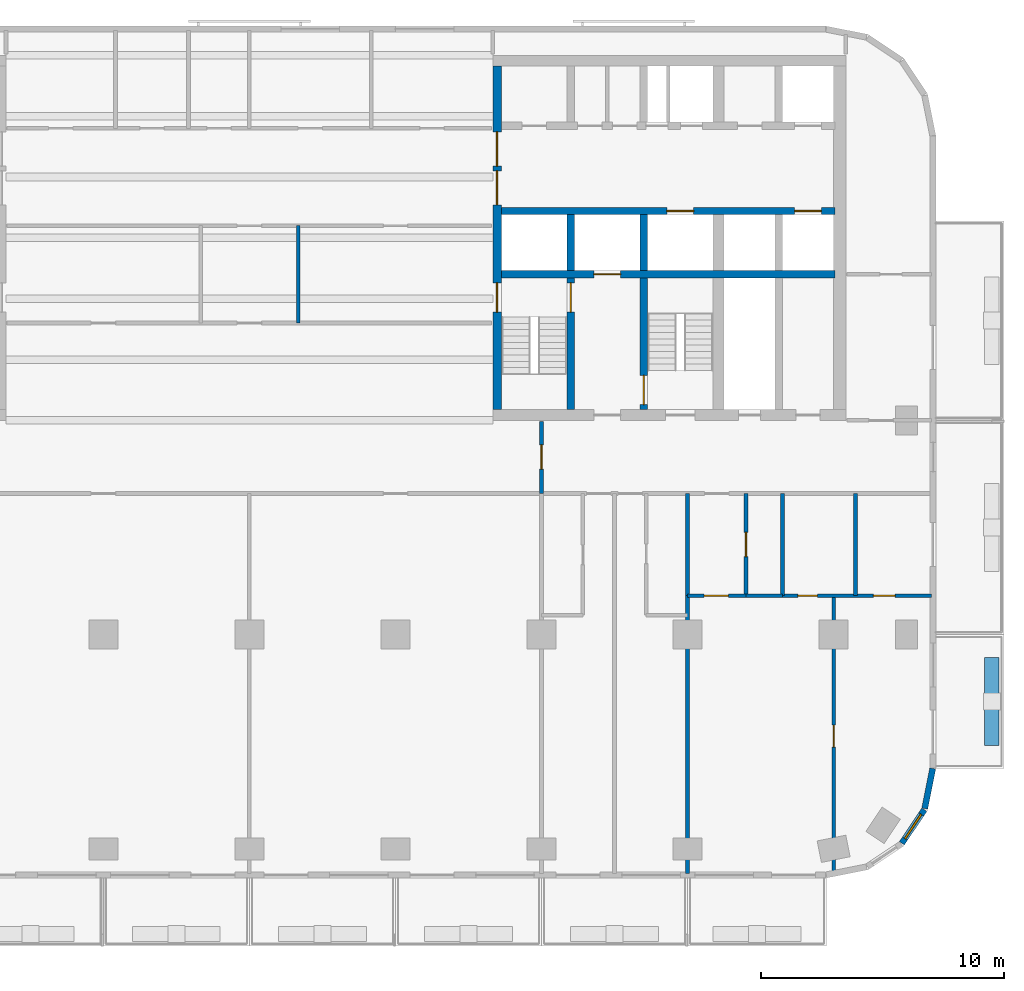
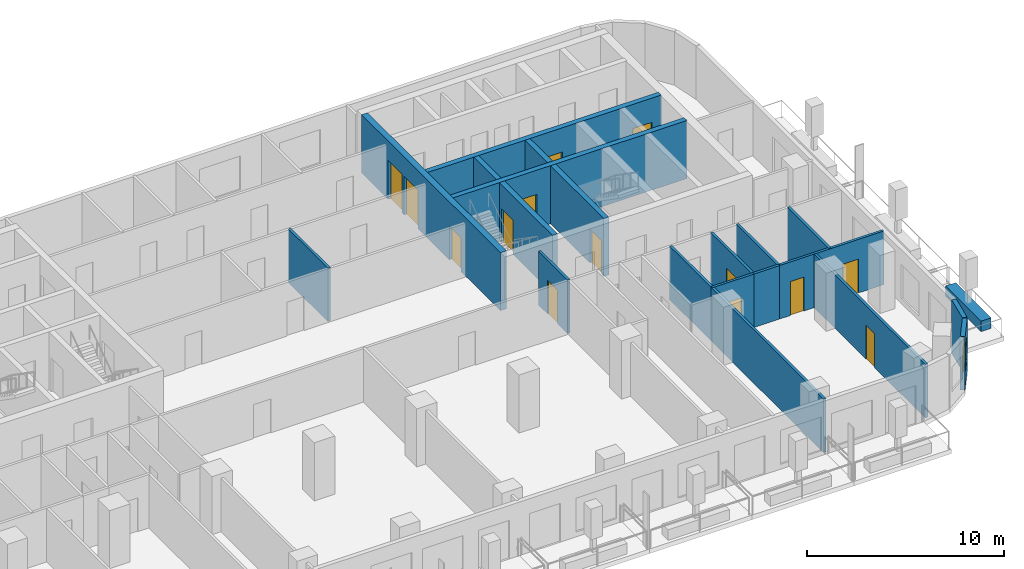
# One storey, part 5 of 11: 21 walls, 14 doors, 1 window, 15 openings.
"""IFC4 building model written with IfcOpenShell, lengths in metres."""

from ifc_helpers import new_model, si_unit, direction, frame, frame_2d, origin, place, context, subcontext, project, spatial, rectangle, extrude, material, layer, layer_set, type_object, element, fill, save


model = new_model("IFC4")

# Units and contexts
model_context = context("Model", 3, precision=1e-05, world=origin(), true_north=direction((0.0, 1.0)))
body_context = subcontext(model_context, "Body", "Model", "MODEL_VIEW")
ifc_project = project(units=[si_unit("LENGTHUNIT", "METRE"), si_unit("AREAUNIT", "SQUARE_METRE"), si_unit("VOLUMEUNIT", "CUBIC_METRE"), si_unit("PLANEANGLEUNIT", "RADIAN"), si_unit("MASSUNIT", "GRAM", prefix="KILO")], contexts=[model_context])

# Site, building, storey
site_placement = place(None, origin())
site = spatial("IfcSite", under=ifc_project, at=site_placement, CompositionType="ELEMENT")
building_placement = place(site_placement, origin())
building = spatial("IfcBuilding", under=site, at=building_placement, Name="Torana Hotel and Residences", CompositionType="ELEMENT")
storey_placement = place(building_placement, frame((0.0, 0.0, 123.60009765625)))
storey = spatial("IfcBuildingStorey", under=building, at=storey_placement, Name="L31", CompositionType="ELEMENT", Elevation=123.60009765625)

# Wall, openings, doors
ifc_material_1 = material(Name="Concrete C70/85", Category="concrete")
ifc_layer_1 = layer(ifc_material_1, 0.300048828125)
ifc_layer_set_1 = layer_set([ifc_layer_1], Name="CORE WALL 300 C70/85")
wall_type_1 = type_object("IfcWallType", Name="CORE WALL 300 C70/85", PredefinedType="SHEAR", material=ifc_layer_set_1)
wall_1_placement = place(storey_placement, frame((10.35009765625, -6.39990234375, 0.0), z_axis=(0.0, 0.0, 1.0), x_axis=(1.0, 0.0, 0.0)))
wall_1 = element("IfcWall", 1, at=wall_1_placement, inside=storey, type_object=wall_type_1, Name="Core wall E row-S", PredefinedType="SHEAR", context=body_context, shape_type="SweptSolid", body=[
    extrude(rectangle(XDim=13.699951171875, YDim=0.300048828125, at=frame_2d((6.85009765625, 0.0))), origin(), (0.0, 0.0, 1.0), 3.599853515625),
])
opening_1_placement = place(wall_1_placement, frame((12.050048828125, 0.0, 0.0)))
opening_1 = element("IfcOpeningElement", 2, at=opening_1_placement, cuts=wall_1, Name="Opening LD", PredefinedType="OPENING", context=body_context, shape_type="SweptSolid", body=[
    extrude(rectangle(XDim=1.10009765625, YDim=2.10009765625, at=frame_2d((0.550048828125, 1.050048828125))), frame((0.0, 0.159912109375, 0.0), z_axis=(0.0, -1.0, 0.0), x_axis=(1.0, 0.0, 0.0)), (0.0, 0.0, 1.0), 0.320068359375),
])
opening_2_placement = place(wall_1_placement, frame((6.800048828125, 0.0, 0.0)))
opening_2 = element("IfcOpeningElement", 3, at=opening_2_placement, cuts=wall_1, Name="Opening LD", PredefinedType="OPENING", context=body_context, shape_type="SweptSolid", body=[
    extrude(rectangle(XDim=1.10009765625, YDim=2.10009765625, at=frame_2d((0.550048828125, 1.050048828125))), frame((0.0, 0.159912109375, 0.0), z_axis=(0.0, -1.0, 0.0), x_axis=(1.0, 0.0, 0.0)), (0.0, 0.0, 1.0), 0.320068359375),
])
ifc_material_2 = material(Name="Stainless steel 316", Category="steel")
door_type_1 = type_object("IfcDoorType", Name="LIFT LANDING DOOR LD 1100x2100", OperationType="DOUBLE_DOOR_SLIDING", PredefinedType="USERDEFINED", material=ifc_material_2)
door_1_placement = place(opening_1_placement, origin())
door_1 = element("IfcDoor", 4, at=door_1_placement, inside=storey, type_object=door_type_1, Name="Lift landing door M4 L31", ObjectType="LIFT LANDING DOOR", OperationType="DOUBLE_DOOR_SLIDING", OverallHeight=2.10009765625, OverallWidth=1.10009765625, PredefinedType="USERDEFINED", context=body_context, shape_type="SweptSolid", body=[
    extrude(rectangle(XDim=1.10009765625, YDim=2.10009765625, at=frame_2d((0.550048828125, 1.050048828125))), frame((0.0, 0.02490234375, 0.0), z_axis=(0.0, -1.0, 0.0), x_axis=(1.0, 0.0, 0.0)), (0.0, 0.0, 1.0), 0.050048828125),
])
fill(opening_1, door_1)
door_2_placement = place(opening_2_placement, origin())
door_2 = element("IfcDoor", 5, at=door_2_placement, inside=storey, type_object=door_type_1, Name="Lift landing door SV2 L31", ObjectType="LIFT LANDING DOOR", OperationType="DOUBLE_DOOR_SLIDING", OverallHeight=2.10009765625, OverallWidth=1.10009765625, PredefinedType="USERDEFINED", context=body_context, shape_type="SweptSolid", body=[
    extrude(rectangle(XDim=1.10009765625, YDim=2.10009765625, at=frame_2d((0.550048828125, 1.050048828125))), frame((0.0, 0.02490234375, 0.0), z_axis=(0.0, -1.0, 0.0), x_axis=(1.0, 0.0, 0.0)), (0.0, 0.0, 1.0), 0.050048828125),
])
fill(opening_2, door_2)

# Wall, opening, door
wall_2_placement = place(storey_placement, frame((10.35009765625, -9.0, 0.0), z_axis=(0.0, 0.0, 1.0), x_axis=(1.0, 0.0, 0.0)))
wall_2 = element("IfcWall", 6, at=wall_2_placement, inside=storey, type_object=wall_type_1, Name="Core wall E band", PredefinedType="SHEAR", context=body_context, shape_type="SweptSolid", body=[
    extrude(rectangle(XDim=13.699951171875, YDim=0.300048828125, at=frame_2d((6.85009765625, 0.0))), origin(), (0.0, 0.0, 1.0), 3.599853515625),
])
opening_3_placement = place(wall_2_placement, frame((3.800048828125, 0.0, 0.0)))
opening_3 = element("IfcOpeningElement", 7, at=opening_3_placement, cuts=wall_2, Name="Opening LD", PredefinedType="OPENING", context=body_context, shape_type="SweptSolid", body=[
    extrude(rectangle(XDim=1.10009765625, YDim=2.10009765625, at=frame_2d((0.550048828125, 1.050048828125))), frame((0.0, 0.159912109375, 0.0), z_axis=(0.0, -1.0, 0.0), x_axis=(1.0, 0.0, 0.0)), (0.0, 0.0, 1.0), 0.320068359375),
])
door_3_placement = place(opening_3_placement, origin())
door_3 = element("IfcDoor", 8, at=door_3_placement, inside=storey, type_object=door_type_1, Name="Lift landing door FF2 L31", ObjectType="LIFT LANDING DOOR", OperationType="DOUBLE_DOOR_SLIDING", OverallHeight=2.10009765625, OverallWidth=1.10009765625, PredefinedType="USERDEFINED", context=body_context, shape_type="SweptSolid", body=[
    extrude(rectangle(XDim=1.10009765625, YDim=2.10009765625, at=frame_2d((0.550048828125, 1.050048828125))), frame((0.0, 0.02490234375, 0.0), z_axis=(0.0, -1.0, 0.0), x_axis=(1.0, 0.0, 0.0)), (0.0, 0.0, 1.0), 0.050048828125),
])
fill(opening_3, door_3)

# Wall
wall_3_placement = place(storey_placement, frame((13.199951171875, -8.85009765625, 0.0), z_axis=(0.0, 0.0, 1.0), x_axis=(0.0, 1.0, 0.0)))
element("IfcWall", 9, at=wall_3_placement, inside=storey, type_object=wall_type_1, Name="Core wall E x3.05-S", PredefinedType="SHEAR", context=body_context, shape_type="SweptSolid", body=[
    extrude(rectangle(XDim=2.300048828125, YDim=0.300048828125, at=frame_2d((1.14990234375, 0.0))), origin(), (0.0, 0.0, 1.0), 3.599853515625),
])

# Wall, opening, door
wall_4_placement = place(storey_placement, frame((13.199951171875, -14.550048828125, 0.0), z_axis=(0.0, 0.0, 1.0), x_axis=(0.0, 1.0, 0.0)))
wall_4 = element("IfcWall", 10, at=wall_4_placement, inside=storey, type_object=wall_type_1, Name="Core wall E x3.05-band", PredefinedType="SHEAR", context=body_context, shape_type="SweptSolid", body=[
    extrude(rectangle(XDim=5.400146484375, YDim=0.300048828125, at=frame_2d((2.7001953125, 0.0))), origin(), (0.0, 0.0, 1.0), 3.599853515625),
])
opening_4_placement = place(wall_4_placement, frame((4.0, 0.0, 0.0)))
opening_4 = element("IfcOpeningElement", 11, at=opening_4_placement, cuts=wall_4, Name="Opening L31-29", PredefinedType="OPENING", context=body_context, shape_type="SweptSolid", body=[
    extrude(rectangle(XDim=1.199951171875, YDim=2.10009765625, at=frame_2d((0.60009765625, 1.050048828125))), frame((0.0, 0.159912109375, 0.0), z_axis=(0.0, -1.0, 0.0), x_axis=(1.0, 0.0, 0.0)), (0.0, 0.0, 1.0), 0.320068359375),
])
ifc_material_3 = material(Name="Steel S235", Category="steel")
door_type_2 = type_object("IfcDoorType", Name="STAIR FIRE DOOR D3 1200x2100", OperationType="SINGLE_SWING_LEFT", PredefinedType="DOOR", material=ifc_material_3)
door_4_placement = place(opening_4_placement, origin())
door_4 = element("IfcDoor", 12, at=door_4_placement, inside=storey, type_object=door_type_2, Name="Stair-A-lobby door L31", OperationType="SINGLE_SWING_LEFT", OverallHeight=2.10009765625, OverallWidth=1.199951171875, PredefinedType="DOOR", context=body_context, shape_type="SweptSolid", body=[
    extrude(rectangle(XDim=1.199951171875, YDim=2.10009765625, at=frame_2d((0.60009765625, 1.050048828125))), frame((0.0, 0.02490234375, 0.0), z_axis=(0.0, -1.0, 0.0), x_axis=(1.0, 0.0, 0.0)), (0.0, 0.0, 1.0), 0.050048828125),
])
fill(opening_4, door_4)

# Wall
wall_5_placement = place(storey_placement, frame((16.199951171875, -8.85009765625, 0.0), z_axis=(0.0, 0.0, 1.0), x_axis=(0.0, 1.0, 0.0)))
element("IfcWall", 13, at=wall_5_placement, inside=storey, type_object=wall_type_1, Name="Core wall E x6.05-S", PredefinedType="SHEAR", context=body_context, shape_type="SweptSolid", body=[
    extrude(rectangle(XDim=2.300048828125, YDim=0.300048828125, at=frame_2d((1.14990234375, 0.0))), origin(), (0.0, 0.0, 1.0), 3.599853515625),
])

# Wall, opening, door
wall_6_placement = place(storey_placement, frame((16.199951171875, -14.550048828125, 0.0), z_axis=(0.0, 0.0, 1.0), x_axis=(0.0, 1.0, 0.0)))
wall_6 = element("IfcWall", 14, at=wall_6_placement, inside=storey, type_object=wall_type_1, Name="Core wall E x6.05-band", PredefinedType="SHEAR", context=body_context, shape_type="SweptSolid", body=[
    extrude(rectangle(XDim=5.400146484375, YDim=0.300048828125, at=frame_2d((2.7001953125, 0.0))), origin(), (0.0, 0.0, 1.0), 3.599853515625),
])
opening_5_placement = place(wall_6_placement, frame((0.199951171875, 0.0, 0.0)))
opening_5 = element("IfcOpeningElement", 15, at=opening_5_placement, cuts=wall_6, Name="Opening L31-30", PredefinedType="OPENING", context=body_context, shape_type="SweptSolid", body=[
    extrude(rectangle(XDim=1.199951171875, YDim=2.10009765625, at=frame_2d((0.60009765625, 1.050048828125))), frame((0.0, 0.159912109375, 0.0), z_axis=(0.0, -1.0, 0.0), x_axis=(1.0, 0.0, 0.0)), (0.0, 0.0, 1.0), 0.320068359375),
])
door_5_placement = place(opening_5_placement, frame((0.60009765625, 0.0, 0.0), z_axis=(0.0, 0.0, 1.0), x_axis=(-1.0, 0.0, 0.0)))
door_5 = element("IfcDoor", 16, at=door_5_placement, inside=storey, type_object=door_type_2, Name="Stair-B-lobby door L31", OperationType="SINGLE_SWING_LEFT", OverallHeight=2.10009765625, OverallWidth=1.199951171875, PredefinedType="DOOR", context=body_context, shape_type="SweptSolid", body=[
    extrude(rectangle(XDim=1.199951171875, YDim=2.10009765625, at=frame_2d((0.0, 1.050048828125))), frame((0.0, -0.02490234375, 0.0), z_axis=(0.0, 1.0, 0.0), x_axis=(-1.0, 0.0, 0.0)), (0.0, 0.0, 1.0), 0.050048828125),
])
fill(opening_5, door_5)

# Wall, openings, doors
ifc_material_4 = material(Name="Concrete C70/85", Category="concrete")
ifc_layer_2 = layer(ifc_material_4, 0.35009765625)
ifc_layer_set_2 = layer_set([ifc_layer_2], Name="CORE WALL 350 C70/85")
wall_type_2 = type_object("IfcWallType", Name="CORE WALL 350 C70/85", PredefinedType="SHEAR", material=ifc_layer_set_2)
wall_7_placement = place(storey_placement, frame((10.175048828125, -14.550048828125, 0.0), z_axis=(0.0, 0.0, 1.0), x_axis=(0.0, 1.0, 0.0)))
wall_7 = element("IfcWall", 17, at=wall_7_placement, inside=storey, type_object=wall_type_2, Name="Core wall E arch", PredefinedType="SHEAR", context=body_context, shape_type="SweptSolid", body=[
    extrude(rectangle(XDim=14.10009765625, YDim=0.35009765625, at=frame_2d((7.050048828125, 0.0))), origin(), (0.0, 0.0, 1.0), 3.599853515625),
])
opening_6_placement = place(wall_7_placement, frame((8.39990234375, 0.0, 0.0)))
opening_6 = element("IfcOpeningElement", 18, at=opening_6_placement, cuts=wall_7, Name="Opening L31-16", PredefinedType="OPENING", context=body_context, shape_type="SweptSolid", body=[
    extrude(rectangle(XDim=1.39990234375, YDim=2.39990234375, at=frame_2d((0.699951171875, 1.199951171875))), frame((0.0, 0.18505859375, 0.0), z_axis=(0.0, -1.0, 0.0), x_axis=(1.0, 0.0, 0.0)), (0.0, 0.0, 1.0), 0.3701171875),
])
opening_7_placement = place(wall_7_placement, frame((10.0, 0.0, 0.0)))
opening_7 = element("IfcOpeningElement", 19, at=opening_7_placement, cuts=wall_7, Name="Opening L31-17", PredefinedType="OPENING", context=body_context, shape_type="SweptSolid", body=[
    extrude(rectangle(XDim=1.39990234375, YDim=2.39990234375, at=frame_2d((0.699951171875, 1.199951171875))), frame((0.0, 0.18505859375, 0.0), z_axis=(0.0, -1.0, 0.0), x_axis=(1.0, 0.0, 0.0)), (0.0, 0.0, 1.0), 0.3701171875),
])
opening_8_placement = place(wall_7_placement, frame((4.0, 0.0, 0.0)))
opening_8 = element("IfcOpeningElement", 20, at=opening_8_placement, cuts=wall_7, Name="Opening L31-18", PredefinedType="OPENING", context=body_context, shape_type="SweptSolid", body=[
    extrude(rectangle(XDim=1.199951171875, YDim=2.10009765625, at=frame_2d((0.60009765625, 1.050048828125))), frame((0.0, 0.18505859375, 0.0), z_axis=(0.0, -1.0, 0.0), x_axis=(1.0, 0.0, 0.0)), (0.0, 0.0, 1.0), 0.3701171875),
])
ifc_material_5 = material(Name="Steel S235", Category="steel")
door_type_3 = type_object("IfcDoorType", Name="LOBBY FIRE DOOR D4 1400x2400", OperationType="DOUBLE_DOOR_SINGLE_SWING", PredefinedType="DOOR", material=ifc_material_5)
door_6_placement = place(opening_6_placement, origin())
door_6 = element("IfcDoor", 21, at=door_6_placement, inside=storey, type_object=door_type_3, Name="Lobby-1 door L31", OperationType="DOUBLE_DOOR_SINGLE_SWING", OverallHeight=2.39990234375, OverallWidth=1.39990234375, PredefinedType="DOOR", context=body_context, shape_type="SweptSolid", body=[
    extrude(rectangle(XDim=1.39990234375, YDim=2.39990234375, at=frame_2d((0.699951171875, 1.199951171875))), frame((0.0, 0.02490234375, 0.0), z_axis=(0.0, -1.0, 0.0), x_axis=(1.0, 0.0, 0.0)), (0.0, 0.0, 1.0), 0.050048828125),
])
fill(opening_6, door_6)
door_7_placement = place(opening_7_placement, origin())
door_7 = element("IfcDoor", 22, at=door_7_placement, inside=storey, type_object=door_type_3, Name="Lobby-2 door L31", OperationType="DOUBLE_DOOR_SINGLE_SWING", OverallHeight=2.39990234375, OverallWidth=1.39990234375, PredefinedType="DOOR", context=body_context, shape_type="SweptSolid", body=[
    extrude(rectangle(XDim=1.39990234375, YDim=2.39990234375, at=frame_2d((0.699951171875, 1.199951171875))), frame((0.0, 0.02490234375, 0.0), z_axis=(0.0, -1.0, 0.0), x_axis=(1.0, 0.0, 0.0)), (0.0, 0.0, 1.0), 0.050048828125),
])
fill(opening_7, door_7)
door_8_placement = place(opening_8_placement, frame((0.60009765625, 0.0, 0.0), z_axis=(0.0, 0.0, 1.0), x_axis=(-1.0, 0.0, 0.0)))
door_8 = element("IfcDoor", 23, at=door_8_placement, inside=storey, type_object=door_type_2, Name="Stair-A door L31", OperationType="SINGLE_SWING_RIGHT", OverallHeight=2.10009765625, OverallWidth=1.199951171875, PredefinedType="DOOR", context=body_context, shape_type="SweptSolid", body=[
    extrude(rectangle(XDim=1.199951171875, YDim=2.10009765625, at=frame_2d((0.0, 1.050048828125))), frame((0.0, -0.02490234375, 0.0), z_axis=(0.0, 1.0, 0.0), x_axis=(-1.0, 0.0, 0.0)), (0.0, 0.0, 1.0), 0.050048828125),
])
fill(opening_8, door_8)

# Wall, opening, window
ifc_material_6 = material(Name="Black aluminium composite panel", Category="aluminium")
ifc_layer_3 = layer(ifc_material_6, 0.00390625, Name="Cladding", Category="cladding")
ifc_material_7 = material(Name="Ventilated air cavity")
ifc_layer_4 = layer(ifc_material_7, 0.0400390625, Name="Ventilated cavity", Category="cavity")
ifc_material_8 = material(Name="Mineral wool insulation")
ifc_layer_5 = layer(ifc_material_8, 0.090087890625, Name="Insulation", Category="insulation")
ifc_material_9 = material(Name="Steel S280GD", Category="steel")
ifc_layer_6 = layer(ifc_material_9, 0.092041015625, Name="Steel stud frame", Category="structure")
ifc_material_10 = material(Name="Fire rated plasterboard")
ifc_layer_7 = layer(ifc_material_10, 0.011962890625, Name="Inner board", Category="finish")
ifc_layer_8 = layer(ifc_material_10, 0.011962890625, Name="Second board", Category="finish")
ifc_layer_set_3 = layer_set([ifc_layer_3, ifc_layer_4, ifc_layer_5, ifc_layer_6, ifc_layer_7, ifc_layer_8], Name="EW1 EXTERNAL WALL BLACK METAL CLAD 250")
wall_type_3 = type_object("IfcWallType", Name="EW1 EXTERNAL WALL BLACK METAL CLAD 250", PredefinedType="SOLIDWALL", material=ifc_layer_set_3)
wall_8_placement = place(storey_placement, frame((26.8056640625, -32.37109375, 0.0), z_axis=(0.0, 0.0, 1.0), x_axis=(0.55555029066, 0.831482937015, 0.0)))
wall_8 = element("IfcWall", 24, at=wall_8_placement, inside=storey, type_object=wall_type_3, Name="External wall L31 e0.17", PredefinedType="SOLIDWALL", context=body_context, shape_type="SweptSolid", body=[
    extrude(rectangle(XDim=1.65625, YDim=0.25, at=frame_2d((0.828125, 0.0))), origin(), (0.0, 0.0, 1.0), 3.31982421875),
])
opening_9_placement = place(wall_8_placement, frame((0.228271484375, 0.0, 0.89990234375)))
opening_9 = element("IfcOpeningElement", 25, at=opening_9_placement, cuts=wall_8, Name="Opening W5", PredefinedType="OPENING", context=body_context, shape_type="SweptSolid", body=[
    extrude(rectangle(XDim=1.199951171875, YDim=1.5, at=frame_2d((0.60009765625, 0.75))), frame((0.0, 0.135009765625, 0.0), z_axis=(0.0, -1.0, 0.0), x_axis=(1.0, 0.0, 0.0)), (0.0, 0.0, 1.0), 0.27001953125),
])
ifc_material_11 = material(Name="Dark glass in black aluminium frame", Category="aluminium")
window_type = type_object("IfcWindowType", Name="W5 CORNER FACET WINDOW 1200x1500", PartitioningType="SINGLE_PANEL", PredefinedType="WINDOW", material=ifc_material_11)
window_placement = place(opening_9_placement, origin())
window = element("IfcWindow", 26, at=window_placement, inside=storey, type_object=window_type, Name="Window L31 e0.17", OverallHeight=1.5, OverallWidth=1.199951171875, PartitioningType="SINGLE_PANEL", PredefinedType="WINDOW", context=body_context, shape_type="SweptSolid", body=[
    extrude(rectangle(XDim=1.199951171875, YDim=1.5, at=frame_2d((0.60009765625, 0.75))), frame((0.0, 0.030029296875, 0.0), z_axis=(0.0, -1.0, 0.0), x_axis=(1.0, 0.0, 0.0)), (0.0, 0.0, 1.0), 0.06005859375),
])
fill(opening_9, window)

# Wall
wall_9_placement = place(storey_placement, frame((27.74462890625, -30.948974609375, 0.0), z_axis=(0.0, 0.0, 1.0), x_axis=(0.194999110559, 0.980803419081, 0.0)))
element("IfcWall", 27, at=wall_9_placement, inside=storey, type_object=wall_type_3, Name="External wall L31 e0.18", PredefinedType="SOLIDWALL", context=body_context, shape_type="SweptSolid", body=[
    extrude(rectangle(XDim=1.681396484375, YDim=0.25, at=frame_2d((0.8408203125, 0.0))), origin(), (0.0, 0.0, 1.0), 3.31982421875),
])

# Wall, opening, door
ifc_material_12 = material(Name="Gypsum plaster")
ifc_layer_9 = layer(ifc_material_12, 0.014892578125, Name="Plaster", Category="finish")
ifc_material_13 = material(Name="Concrete blockwork", Category="masonry")
ifc_layer_10 = layer(ifc_material_13, 0.1201171875, Name="Blockwork", Category="structure")
ifc_layer_11 = layer(ifc_material_12, 0.014892578125, Name="Plaster", Category="finish")
ifc_layer_set_4 = layer_set([ifc_layer_9, ifc_layer_10, ifc_layer_11], Name="FIRE PARTITION 150 BLOCKWORK")
wall_type_4 = type_object("IfcWallType", Name="FIRE PARTITION 150 BLOCKWORK", PredefinedType="PARTITIONING", material=ifc_layer_set_4)
wall_10_placement = place(storey_placement, frame((20.39990234375, -22.199951171875, 0.0), z_axis=(0.0, 0.0, 1.0), x_axis=(0.0, 1.0, 0.0)))
wall_10 = element("IfcWall", 28, at=wall_10_placement, inside=storey, type_object=wall_type_4, Name="Partition L31", PredefinedType="PARTITIONING", context=body_context, shape_type="SweptSolid", body=[
    extrude(rectangle(XDim=4.199951171875, YDim=0.14990234375, at=frame_2d((2.10009765625, 0.0))), origin(), (0.0, 0.0, 1.0), 3.31982421875),
])
opening_10_placement = place(wall_10_placement, frame((1.60009765625, 0.0, 0.0)))
opening_10 = element("IfcOpeningElement", 29, at=opening_10_placement, cuts=wall_10, Name="Opening L31-59", PredefinedType="OPENING", context=body_context, shape_type="SweptSolid", body=[
    extrude(rectangle(XDim=1.0, YDim=2.10009765625, at=frame_2d((0.5, 1.050048828125))), frame((0.0, 0.0849609375, 0.0), z_axis=(0.0, -1.0, 0.0), x_axis=(1.0, 0.0, 0.0)), (0.0, 0.0, 1.0), 0.169921875),
])
ifc_material_14 = material(Name="Steel S235", Category="steel")
door_type_4 = type_object("IfcDoorType", Name="ENTRY FIRE DOOR D6 1000x2100", OperationType="SINGLE_SWING_LEFT", PredefinedType="DOOR", material=ifc_material_14)
door_9_placement = place(opening_10_placement, frame((0.5, 0.0, 0.0), z_axis=(0.0, 0.0, 1.0), x_axis=(-1.0, 0.0, 0.0)))
door_9 = element("IfcDoor", 30, at=door_9_placement, inside=storey, type_object=door_type_4, Name="Door L31", OperationType="SINGLE_SWING_LEFT", OverallHeight=2.10009765625, OverallWidth=1.0, PredefinedType="DOOR", context=body_context, shape_type="SweptSolid", body=[
    extrude(rectangle(XDim=1.0, YDim=2.10009765625, at=frame_2d((0.0, 1.050048828125))), frame((0.0, -0.02490234375, 0.0), z_axis=(0.0, 1.0, 0.0), x_axis=(-1.0, 0.0, 0.0)), (0.0, 0.0, 1.0), 0.050048828125),
])
fill(opening_10, door_9)

# Wall
wall_11_placement = place(storey_placement, frame((18.0, -22.199951171875, 0.0), z_axis=(0.0, 0.0, 1.0), x_axis=(0.0, 1.0, 0.0)))
element("IfcWall", 31, at=wall_11_placement, inside=storey, type_object=wall_type_4, Name="Partition L31", PredefinedType="PARTITIONING", context=body_context, shape_type="SweptSolid", body=[
    extrude(rectangle(XDim=4.199951171875, YDim=0.14990234375, at=frame_2d((2.10009765625, 0.0))), origin(), (0.0, 0.0, 1.0), 3.31982421875),
])

# Wall, opening, door
wall_12_placement = place(storey_placement, frame((12.0, -18.0, 0.0), z_axis=(0.0, 0.0, 1.0), x_axis=(0.0, 1.0, 0.0)))
wall_12 = element("IfcWall", 32, at=wall_12_placement, inside=storey, type_object=wall_type_4, Name="Partition L31", PredefinedType="PARTITIONING", context=body_context, shape_type="SweptSolid", body=[
    extrude(rectangle(XDim=2.949951171875, YDim=0.14990234375, at=frame_2d((1.47509765625, 0.0))), origin(), (0.0, 0.0, 1.0), 3.31982421875),
])
opening_11_placement = place(wall_12_placement, frame((1.0, 0.0, 0.0)))
opening_11 = element("IfcOpeningElement", 33, at=opening_11_placement, cuts=wall_12, Name="Opening L31-35", PredefinedType="OPENING", context=body_context, shape_type="SweptSolid", body=[
    extrude(rectangle(XDim=1.0, YDim=2.10009765625, at=frame_2d((0.5, 1.050048828125))), frame((0.0, 0.0849609375, 0.0), z_axis=(0.0, -1.0, 0.0), x_axis=(1.0, 0.0, 0.0)), (0.0, 0.0, 1.0), 0.169921875),
])
door_10_placement = place(opening_11_placement, origin())
door_10 = element("IfcDoor", 34, at=door_10_placement, inside=storey, type_object=door_type_4, Name="Door L31", OperationType="SINGLE_SWING_RIGHT", OverallHeight=2.10009765625, OverallWidth=1.0, PredefinedType="DOOR", context=body_context, shape_type="SweptSolid", body=[
    extrude(rectangle(XDim=1.0, YDim=2.10009765625, at=frame_2d((0.5, 1.050048828125))), frame((0.0, 0.02490234375, 0.0), z_axis=(0.0, -1.0, 0.0), x_axis=(1.0, 0.0, 0.0)), (0.0, 0.0, 1.0), 0.050048828125),
])
fill(opening_11, door_10)

# Wall
wall_13_placement = place(storey_placement, frame((2.0, -11.0, 0.0), z_axis=(0.0, 0.0, 1.0), x_axis=(0.0, 1.0, 0.0)))
element("IfcWall", 35, at=wall_13_placement, inside=storey, type_object=wall_type_4, Name="Partition L31", PredefinedType="PARTITIONING", context=body_context, shape_type="SweptSolid", body=[
    extrude(rectangle(XDim=4.0, YDim=0.14990234375, at=frame_2d((2.0, 0.0))), origin(), (0.0, 0.0, 1.0), 3.31982421875),
])

# Wall, opening, door
wall_14_placement = place(storey_placement, frame((18.0, -22.199951171875, 0.0), z_axis=(0.0, 0.0, 1.0), x_axis=(1.0, 0.0, 0.0)))
wall_14 = element("IfcWall", 36, at=wall_14_placement, inside=storey, type_object=wall_type_4, Name="Partition L31", PredefinedType="PARTITIONING", context=body_context, shape_type="SweptSolid", body=[
    extrude(rectangle(XDim=2.39990234375, YDim=0.14990234375, at=frame_2d((1.199951171875, 0.0))), origin(), (0.0, 0.0, 1.0), 3.31982421875),
])
opening_12_placement = place(wall_14_placement, frame((0.679931640625, 0.0, 0.0)))
opening_12 = element("IfcOpeningElement", 37, at=opening_12_placement, cuts=wall_14, Name="Opening L31-60", PredefinedType="OPENING", context=body_context, shape_type="SweptSolid", body=[
    extrude(rectangle(XDim=1.0, YDim=2.10009765625, at=frame_2d((0.5, 1.050048828125))), frame((0.0, 0.0849609375, 0.0), z_axis=(0.0, -1.0, 0.0), x_axis=(1.0, 0.0, 0.0)), (0.0, 0.0, 1.0), 0.169921875),
])
door_11_placement = place(opening_12_placement, frame((0.5, 0.0, 0.0), z_axis=(0.0, 0.0, 1.0), x_axis=(-1.0, 0.0, 0.0)))
door_11 = element("IfcDoor", 38, at=door_11_placement, inside=storey, type_object=door_type_4, Name="Door L31", OperationType="SINGLE_SWING_LEFT", OverallHeight=2.10009765625, OverallWidth=1.0, PredefinedType="DOOR", context=body_context, shape_type="SweptSolid", body=[
    extrude(rectangle(XDim=1.0, YDim=2.10009765625, at=frame_2d((0.0, 1.050048828125))), frame((0.0, -0.02490234375, 0.0), z_axis=(0.0, 1.0, 0.0), x_axis=(-1.0, 0.0, 0.0)), (0.0, 0.0, 1.0), 0.050048828125),
])
fill(opening_12, door_11)

# Wall
ifc_material_15 = material(Name="Gypsum plasterboard")
ifc_layer_12 = layer(ifc_material_15, 0.012451171875, Name="Plasterboard", Category="finish")
ifc_layer_13 = layer(ifc_material_15, 0.012451171875, Name="Plasterboard", Category="finish")
ifc_layer_14 = layer(ifc_material_9, 0.10009765625, Name="Steel studs with mineral wool", Category="insulation")
ifc_layer_15 = layer(ifc_material_15, 0.012451171875, Name="Plasterboard", Category="finish")
ifc_layer_16 = layer(ifc_material_15, 0.012451171875, Name="Plasterboard", Category="finish")
ifc_layer_set_5 = layer_set([ifc_layer_12, ifc_layer_13, ifc_layer_14, ifc_layer_15, ifc_layer_16], Name="PARTITION 150 PLASTERBOARD")
wall_type_5 = type_object("IfcWallType", Name="PARTITION 150 PLASTERBOARD", PredefinedType="PARTITIONING", material=ifc_layer_set_5)
wall_15_placement = place(storey_placement, frame((24.89990234375, -22.199951171875, 0.0), z_axis=(0.0, 0.0, 1.0), x_axis=(0.0, 1.0, 0.0)))
element("IfcWall", 39, at=wall_15_placement, inside=storey, type_object=wall_type_5, Name="Partition L31", PredefinedType="PARTITIONING", context=body_context, shape_type="SweptSolid", body=[
    extrude(rectangle(XDim=4.199951171875, YDim=0.14990234375, at=frame_2d((2.10009765625, 0.0))), origin(), (0.0, 0.0, 1.0), 3.31982421875),
])

# Wall, opening, door
wall_16_placement = place(storey_placement, frame((24.0, -33.556884765625, 0.0), z_axis=(0.0, 0.0, 1.0), x_axis=(0.0, 1.0, 0.0)))
wall_16 = element("IfcWall", 40, at=wall_16_placement, inside=storey, type_object=wall_type_5, Name="Partition L31", PredefinedType="PARTITIONING", context=body_context, shape_type="SweptSolid", body=[
    extrude(rectangle(XDim=11.35693359375, YDim=0.14990234375, at=frame_2d((5.678466796875, 0.0))), origin(), (0.0, 0.0, 1.0), 3.31982421875),
])
opening_13_placement = place(wall_16_placement, frame((5.13671875, 0.0, 0.0)))
opening_13 = element("IfcOpeningElement", 41, at=opening_13_placement, cuts=wall_16, Name="Opening L31-63", PredefinedType="OPENING", context=body_context, shape_type="SweptSolid", body=[
    extrude(rectangle(XDim=0.89990234375, YDim=2.10009765625, at=frame_2d((0.449951171875, 1.050048828125))), frame((0.0, 0.0849609375, 0.0), z_axis=(0.0, -1.0, 0.0), x_axis=(1.0, 0.0, 0.0)), (0.0, 0.0, 1.0), 0.169921875),
])
ifc_material_16 = material(Name="Timber door, oiled ash", Category="wood")
door_type_5 = type_object("IfcDoorType", Name="ROOM DOOR D7 900x2100", OperationType="SINGLE_SWING_LEFT", PredefinedType="DOOR", material=ifc_material_16)
door_12_placement = place(opening_13_placement, origin())
door_12 = element("IfcDoor", 42, at=door_12_placement, inside=storey, type_object=door_type_5, Name="Door L31", OperationType="SINGLE_SWING_RIGHT", OverallHeight=2.10009765625, OverallWidth=0.89990234375, PredefinedType="DOOR", context=body_context, shape_type="SweptSolid", body=[
    extrude(rectangle(XDim=0.89990234375, YDim=2.10009765625, at=frame_2d((0.449951171875, 1.050048828125))), frame((0.0, 0.02490234375, 0.0), z_axis=(0.0, -1.0, 0.0), x_axis=(1.0, 0.0, 0.0)), (0.0, 0.0, 1.0), 0.050048828125),
])
fill(opening_13, door_12)

# Wall
wall_17_placement = place(storey_placement, frame((18.0, -33.6201171875, 0.0), z_axis=(0.0, 0.0, 1.0), x_axis=(0.0, 1.0, 0.0)))
element("IfcWall", 43, at=wall_17_placement, inside=storey, type_object=wall_type_5, Name="Partition L31", PredefinedType="PARTITIONING", context=body_context, shape_type="SweptSolid", body=[
    extrude(rectangle(XDim=11.420166015625, YDim=0.14990234375, at=frame_2d((5.7099609375, 0.0))), origin(), (0.0, 0.0, 1.0), 3.31982421875),
])

# Wall, openings, doors
wall_18_placement = place(storey_placement, frame((21.89990234375, -22.199951171875, 0.0), z_axis=(0.0, 0.0, 1.0), x_axis=(1.0, 0.0, 0.0)))
wall_18 = element("IfcWall", 44, at=wall_18_placement, inside=storey, type_object=wall_type_5, Name="Partition L31", PredefinedType="PARTITIONING", context=body_context, shape_type="SweptSolid", body=[
    extrude(rectangle(XDim=6.1201171875, YDim=0.14990234375, at=frame_2d((3.06005859375, 0.0))), origin(), (0.0, 0.0, 1.0), 3.31982421875),
])
opening_14_placement = place(wall_18_placement, frame((0.6298828125, 0.0, 0.0)))
opening_14 = element("IfcOpeningElement", 45, at=opening_14_placement, cuts=wall_18, Name="Opening L31-61", PredefinedType="OPENING", context=body_context, shape_type="SweptSolid", body=[
    extrude(rectangle(XDim=0.800048828125, YDim=2.10009765625, at=frame_2d((0.39990234375, 1.050048828125))), frame((0.0, 0.0849609375, 0.0), z_axis=(0.0, -1.0, 0.0), x_axis=(1.0, 0.0, 0.0)), (0.0, 0.0, 1.0), 0.169921875),
])
opening_15_placement = place(wall_18_placement, frame((3.72998046875, 0.0, 0.0)))
opening_15 = element("IfcOpeningElement", 46, at=opening_15_placement, cuts=wall_18, Name="Opening L31-62", PredefinedType="OPENING", context=body_context, shape_type="SweptSolid", body=[
    extrude(rectangle(XDim=0.89990234375, YDim=2.10009765625, at=frame_2d((0.449951171875, 1.050048828125))), frame((0.0, 0.0849609375, 0.0), z_axis=(0.0, -1.0, 0.0), x_axis=(1.0, 0.0, 0.0)), (0.0, 0.0, 1.0), 0.169921875),
])
ifc_material_17 = material(Name="Timber door, painted", Category="wood")
door_type_6 = type_object("IfcDoorType", Name="BATH DOOR D13 800x2100", OperationType="SINGLE_SWING_LEFT", PredefinedType="DOOR", material=ifc_material_17)
door_13_placement = place(opening_14_placement, origin())
door_13 = element("IfcDoor", 47, at=door_13_placement, inside=storey, type_object=door_type_6, Name="Door L31", OperationType="SINGLE_SWING_RIGHT", OverallHeight=2.10009765625, OverallWidth=0.800048828125, PredefinedType="DOOR", context=body_context, shape_type="SweptSolid", body=[
    extrude(rectangle(XDim=0.800048828125, YDim=2.10009765625, at=frame_2d((0.39990234375, 1.050048828125))), frame((0.0, 0.02490234375, 0.0), z_axis=(0.0, -1.0, 0.0), x_axis=(1.0, 0.0, 0.0)), (0.0, 0.0, 1.0), 0.050048828125),
])
fill(opening_14, door_13)
door_14_placement = place(opening_15_placement, origin())
door_14 = element("IfcDoor", 48, at=door_14_placement, inside=storey, type_object=door_type_5, Name="Door L31", OperationType="SINGLE_SWING_RIGHT", OverallHeight=2.10009765625, OverallWidth=0.89990234375, PredefinedType="DOOR", context=body_context, shape_type="SweptSolid", body=[
    extrude(rectangle(XDim=0.89990234375, YDim=2.10009765625, at=frame_2d((0.449951171875, 1.050048828125))), frame((0.0, 0.02490234375, 0.0), z_axis=(0.0, -1.0, 0.0), x_axis=(1.0, 0.0, 0.0)), (0.0, 0.0, 1.0), 0.050048828125),
])
fill(opening_15, door_14)

# Walls
ifc_material_18 = material(Name="Concrete C40/50 precast", Category="concrete")
ifc_layer_17 = layer(ifc_material_18, 0.10009765625, Name="Planter shell", Category="structure")
ifc_material_19 = material(Name="Root resistant membrane")
ifc_layer_18 = layer(ifc_material_19, 0.00390625, Name="Waterproofing membrane", Category="membrane")
ifc_material_20 = material(Name="Drainage board with filter fleece")
ifc_layer_19 = layer(ifc_material_20, 0.02001953125, Name="Drainage board", Category="drainage")
ifc_material_21 = material(Name="Growing medium")
ifc_layer_20 = layer(ifc_material_21, 0.47607421875, Name="Planting substrate", Category="soil")
ifc_layer_set_6 = layer_set([ifc_layer_17, ifc_layer_18, ifc_layer_19, ifc_layer_20], Name="PL1 BALCONY PLANTER 600")
wall_type_6 = type_object("IfcWallType", Name="PL1 BALCONY PLANTER 600", PredefinedType="USERDEFINED", material=ifc_layer_set_6)
wall_19_placement = place(storey_placement, frame((30.5, -24.75, 0.0), z_axis=(0.0, 0.0, 1.0), x_axis=(0.0, -1.0, 0.0)))
element("IfcWall", 49, at=wall_19_placement, inside=storey, type_object=wall_type_6, Name="Planter 12", ObjectType="PLANTER", PredefinedType="USERDEFINED", context=body_context, shape_type="SweptSolid", body=[
    extrude(rectangle(XDim=3.60009765625, YDim=0.60009765625, at=frame_2d((1.800048828125, 0.0))), origin(), (0.0, 0.0, 1.0), 0.64990234375),
])
ifc_material_22 = material(Name="Ceramic tile on adhesive")
ifc_layer_21 = layer(ifc_material_22, 0.010009765625, Name="Wall tile", Category="finish")
ifc_material_23 = material(Name="Cement render")
ifc_layer_22 = layer(ifc_material_23, 0.010009765625, Name="Render", Category="finish")
ifc_layer_23 = layer(ifc_material_13, 0.110107421875, Name="Blockwork", Category="structure")
ifc_layer_24 = layer(ifc_material_23, 0.010009765625, Name="Render", Category="finish")
ifc_layer_25 = layer(ifc_material_22, 0.010009765625, Name="Wall tile", Category="finish")
ifc_layer_set_7 = layer_set([ifc_layer_21, ifc_layer_22, ifc_layer_23, ifc_layer_24, ifc_layer_25], Name="WC PARTITION 150")
wall_type_7 = type_object("IfcWallType", Name="WC PARTITION 150", PredefinedType="PLUMBINGWALL", material=ifc_layer_set_7)
wall_20_placement = place(storey_placement, frame((21.89990234375, -22.199951171875, 0.0), z_axis=(0.0, 0.0, 1.0), x_axis=(0.0, 1.0, 0.0)))
element("IfcWall", 50, at=wall_20_placement, inside=storey, type_object=wall_type_7, Name="Partition L31", PredefinedType="PLUMBINGWALL", context=body_context, shape_type="SweptSolid", body=[
    extrude(rectangle(XDim=4.199951171875, YDim=0.14990234375, at=frame_2d((2.10009765625, 0.0))), origin(), (0.0, 0.0, 1.0), 3.31982421875),
])
wall_21_placement = place(storey_placement, frame((20.39990234375, -22.199951171875, 0.0), z_axis=(0.0, 0.0, 1.0), x_axis=(1.0, 0.0, 0.0)))
element("IfcWall", 51, at=wall_21_placement, inside=storey, type_object=wall_type_7, Name="Partition L31", PredefinedType="PLUMBINGWALL", context=body_context, shape_type="SweptSolid", body=[
    extrude(rectangle(XDim=1.5, YDim=0.14990234375, at=frame_2d((0.75, 0.0))), origin(), (0.0, 0.0, 1.0), 3.31982421875),
])

save(model, "model.ifc")
